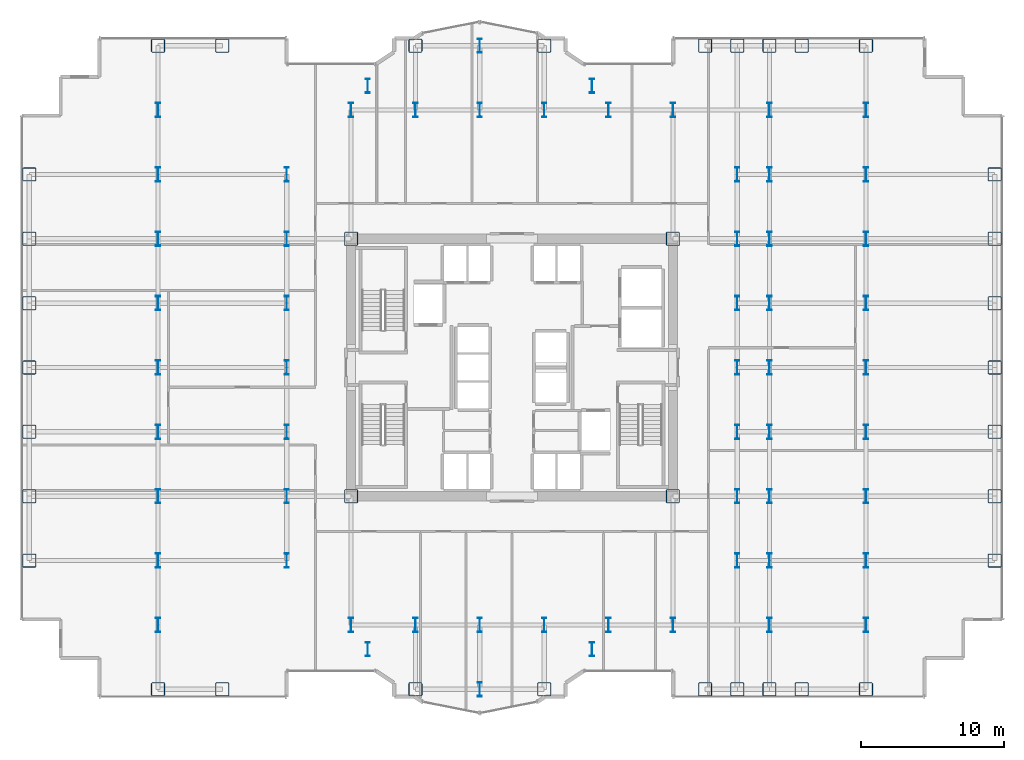
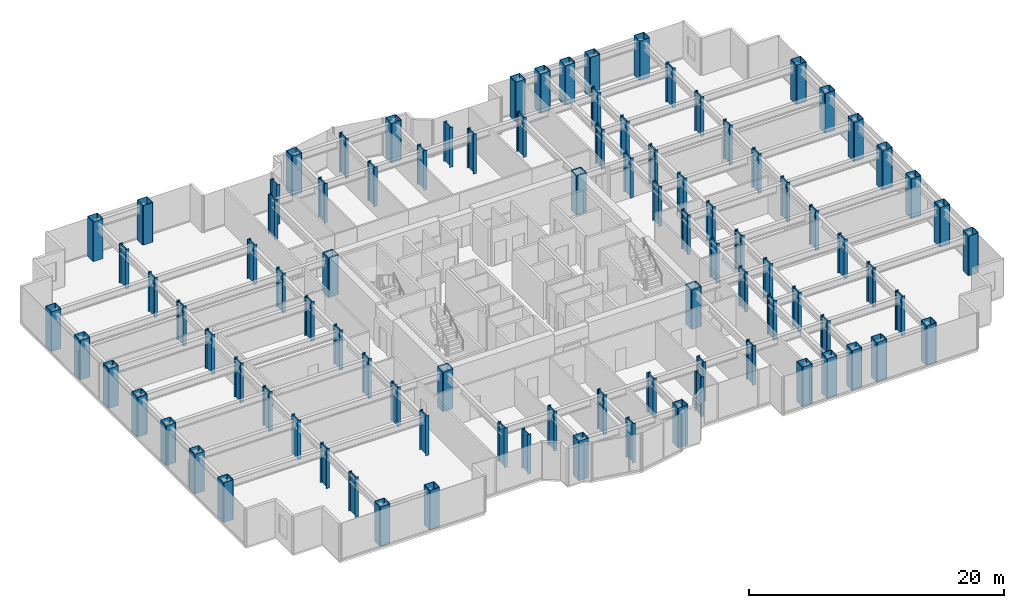
# One storey, part 1 of 25: 95 columns.
"""IFC4 building model written with IfcOpenShell, lengths in metres."""

from ifc_helpers import new_model, si_unit, direction, frame, origin, origin_2d, place, context, subcontext, project, spatial, hollow_rectangle, i_section, extrude, source, transform, mapped, material, material_profile, profile_set, type_object, element, save


model = new_model("IFC4")

# Units and contexts
model_context = context("Model", 3, precision=1e-05, world=origin(), true_north=direction((0.0, 1.0)))
body_context = subcontext(model_context, "Body", "Model", "MODEL_VIEW")
ifc_project = project(units=[si_unit("LENGTHUNIT", "METRE"), si_unit("AREAUNIT", "SQUARE_METRE"), si_unit("VOLUMEUNIT", "CUBIC_METRE"), si_unit("PLANEANGLEUNIT", "RADIAN"), si_unit("MASSUNIT", "GRAM", prefix="KILO")], contexts=[model_context])

# Site, building, storey
site_placement = place(None, origin())
site = spatial("IfcSite", under=ifc_project, at=site_placement, CompositionType="ELEMENT")
building_placement = place(site_placement, origin())
building = spatial("IfcBuilding", under=site, at=building_placement, Name="Nefas-Gora Pilgrimage Tower", CompositionType="ELEMENT")
storey_placement = place(building_placement, frame((0.0, 0.0, 74.800048828125)))
storey = spatial("IfcBuildingStorey", under=building, at=storey_placement, Name="L17", CompositionType="ELEMENT", Elevation=74.800048828125)

# Columns
ifc_material = material(Name="Steel S460", Category="steel")
ifc_material_profile_1 = material_profile(ifc_material, hollow_rectangle(XDim=0.949951171875, YDim=0.949951171875, WallThickness=0.044921875, InnerFilletRadius=0.044921875, OuterFilletRadius=0.090087890625, at=origin_2d()), Name="BOX 950x950x45")
ifc_profile_set_1 = profile_set([ifc_material_profile_1], Name="Steel S460")
column_type_1 = type_object("IfcColumnType", Name="COL-TUBE-950", PredefinedType="COLUMN", material=ifc_profile_set_1)
shared_shape_1 = source(origin(), body_context, "Body", "SweptSolid", [
    extrude(hollow_rectangle(XDim=0.949951171875, YDim=0.949951171875, WallThickness=0.044921875, InnerFilletRadius=0.044921875, OuterFilletRadius=0.090087890625, at=origin_2d()), origin(), (0.0, 0.0, 1.0), 3.800048828125),
])
for number, where, z_axis, x_axis, name in (
    (1, (-33.75, -13.5, 0.0), (0.0, 0.0, 1.0), (1.0, 0.0, 0.0), "L17 Tower Column C-Z1.1"),
    (2, (-33.75, -9.0, 0.0), (0.0, 0.0, 1.0), (1.0, 0.0, 0.0), "L17 Tower Column C-Z1.2"),
    (3, (-33.75, -4.5, 0.0), (0.0, 0.0, 1.0), (1.0, 0.0, 0.0), "L17 Tower Column C-Z1.3"),
    (4, (-33.75, 0.0, 0.0), (0.0, 0.0, 1.0), (1.0, 0.0, 0.0), "L17 Tower Column C-Z1.4"),
    (5, (-33.75, 4.5, 0.0), (0.0, 0.0, 1.0), (1.0, 0.0, 0.0), "L17 Tower Column C-Z1.5"),
    (6, (-33.75, 9.0, 0.0), (0.0, 0.0, 1.0), (1.0, 0.0, 0.0), "L17 Tower Column C-Z1.6"),
    (7, (-33.75, 13.5, 0.0), (0.0, 0.0, 1.0), (1.0, 0.0, 0.0), "L17 Tower Column C-Z1.7"),
    (8, (-24.75, -22.5, 0.0), (0.0, 0.0, 1.0), (1.0, 0.0, 0.0), "L17 Tower Column C-Z1.8"),
    (9, (-24.75, 22.5, 0.0), (0.0, 0.0, 1.0), (1.0, 0.0, 0.0), "L17 Tower Column C-Z1.18"),
    (10, (-20.25, -22.5, 0.0), (0.0, 0.0, 1.0), (1.0, 0.0, 0.0), "L17 Tower Column C-Z1.19"),
    (11, (-20.25, 22.5, 0.0), (0.0, 0.0, 1.0), (1.0, 0.0, 0.0), "L17 Tower Column C-Z1.20"),
    (12, (-6.75, -22.5, 0.0), (0.0, 0.0, 1.0), (1.0, 0.0, 0.0), "L17 Tower Column C-Z1.34"),
    (13, (-6.75, 22.5, 0.0), (0.0, 0.0, 1.0), (1.0, 0.0, 0.0), "L17 Tower Column C-Z1.37"),
    (14, (2.25, -22.5, 0.0), (0.0, 0.0, 1.0), (1.0, 0.0, 0.0), "L17 Tower Column C-Z1.42"),
    (15, (2.25, 22.5, 0.0), (0.0, 0.0, 1.0), (1.0, 0.0, 0.0), "L17 Tower Column C-Z1.45"),
    (16, (13.5, -22.5, 0.0), (0.0, 0.0, 1.0), (1.0, 0.0, 0.0), "L17 Tower Column C-Z1.54"),
    (17, (13.5, 22.5, 0.0), (0.0, 0.0, 1.0), (1.0, 0.0, 0.0), "L17 Tower Column C-Z1.55"),
    (18, (15.75, -22.5, 0.0), (0.0, 0.0, 1.0), (1.0, 0.0, 0.0), "L17 Tower Column C-Z1.56"),
    (19, (15.75, 22.5, 0.0), (0.0, 0.0, 1.0), (1.0, 0.0, 0.0), "L17 Tower Column C-Z1.64"),
    (20, (18.0, -22.5, 0.0), (0.0, 0.0, 1.0), (1.0, 0.0, 0.0), "L17 Tower Column C-Z1.65"),
    (21, (18.0, 22.5, 0.0), (0.0, 0.0, 1.0), (1.0, 0.0, 0.0), "L17 Tower Column C-Z1.75"),
    (22, (20.25, -22.5, 0.0), (0.0, 0.0, 1.0), (1.0, 0.0, 0.0), "L17 Tower Column C-Z1.76"),
    (23, (20.25, 22.5, 0.0), (0.0, 0.0, 1.0), (1.0, 0.0, 0.0), "L17 Tower Column C-Z1.77"),
    (24, (24.75, -22.5, 0.0), (0.0, 0.0, 1.0), (1.0, 0.0, 0.0), "L17 Tower Column C-Z1.78"),
    (25, (24.75, 22.5, 0.0), (0.0, 0.0, 1.0), (1.0, 0.0, 0.0), "L17 Tower Column C-Z1.88"),
    (26, (33.75, -13.5, 0.0), (0.0, 0.0, 1.0), (1.0, 0.0, 0.0), "L17 Tower Column C-Z1.89"),
    (27, (33.75, -9.0, 0.0), (0.0, 0.0, 1.0), (1.0, 0.0, 0.0), "L17 Tower Column C-Z1.90"),
    (28, (33.75, -4.5, 0.0), (0.0, 0.0, 1.0), (1.0, 0.0, 0.0), "L17 Tower Column C-Z1.91"),
    (29, (33.75, 0.0, 0.0), (0.0, 0.0, 1.0), (1.0, 0.0, 0.0), "L17 Tower Column C-Z1.92"),
    (30, (33.75, 4.5, 0.0), (0.0, 0.0, 1.0), (1.0, 0.0, 0.0), "L17 Tower Column C-Z1.93"),
    (31, (33.75, 9.0, 0.0), (0.0, 0.0, 1.0), (1.0, 0.0, 0.0), "L17 Tower Column C-Z1.94"),
    (32, (33.75, 13.5, 0.0), (0.0, 0.0, 1.0), (1.0, 0.0, 0.0), "L17 Tower Column C-Z1.95"),
):
    element("IfcColumn", number, at=place(storey_placement, frame(where, z_axis=z_axis, x_axis=x_axis)), inside=storey, type_object=column_type_1, Name=name, PredefinedType="COLUMN", context=body_context, shape_type="MappedRepresentation", body=[
        mapped(shared_shape_1, transform((0.0, 0.0, 0.0), x_axis=(1.0, 0.0, 0.0), y_axis=(0.0, 1.0, 0.0), z_axis=(0.0, 0.0, 1.0), scale=1.0)),
    ])
ifc_material_profile_2 = material_profile(ifc_material, i_section(OverallWidth=0.302001953125, OverallDepth=1.008056640625, WebThickness=0.02099609375, FlangeThickness=0.0400390625, FilletRadius=0.030029296875, at=origin_2d()), Name="HEM 1000")
ifc_profile_set_2 = profile_set([ifc_material_profile_2], Name="Steel S460")
column_type_2 = type_object("IfcColumnType", Name="COL-WEB-HEM1000", PredefinedType="COLUMN", material=ifc_profile_set_2)
shared_shape_2 = source(origin(), body_context, "Body", "SweptSolid", [
    extrude(i_section(OverallWidth=0.302001953125, OverallDepth=1.008056640625, WebThickness=0.02099609375, FlangeThickness=0.0400390625, FilletRadius=0.030029296875, at=origin_2d()), origin(), (0.0, 0.0, 1.0), 3.800048828125),
])
for number, where, z_axis, x_axis, name in (
    (33, (-24.75, -18.0, 0.0), (0.0, 0.0, 1.0), (1.0, 0.0, 0.0), "L17 Tower Column CW-01.9"),
    (34, (-24.75, -13.5, 0.0), (0.0, 0.0, 1.0), (1.0, 0.0, 0.0), "L17 Tower Column CW-01.10"),
    (35, (-24.75, -9.0, 0.0), (0.0, 0.0, 1.0), (1.0, 0.0, 0.0), "L17 Tower Column CW-01.11"),
    (36, (-24.75, -4.5, 0.0), (0.0, 0.0, 1.0), (1.0, 0.0, 0.0), "L17 Tower Column CW-01.12"),
    (37, (-24.75, 0.0, 0.0), (0.0, 0.0, 1.0), (1.0, 0.0, 0.0), "L17 Tower Column CW-01.13"),
    (38, (-24.75, 4.5, 0.0), (0.0, 0.0, 1.0), (1.0, 0.0, 0.0), "L17 Tower Column CW-01.14"),
    (39, (-24.75, 9.0, 0.0), (0.0, 0.0, 1.0), (1.0, 0.0, 0.0), "L17 Tower Column CW-01.15"),
    (40, (-24.75, 13.5, 0.0), (0.0, 0.0, 1.0), (1.0, 0.0, 0.0), "L17 Tower Column CW-01.16"),
    (41, (-24.75, 18.0, 0.0), (0.0, 0.0, 1.0), (1.0, 0.0, 0.0), "L17 Tower Column CW-01.17"),
    (42, (-15.75, -13.5, 0.0), (0.0, 0.0, 1.0), (1.0, 0.0, 0.0), "L17 Tower Column CW-01.21"),
    (43, (-15.75, -9.0, 0.0), (0.0, 0.0, 1.0), (1.0, 0.0, 0.0), "L17 Tower Column CW-01.22"),
    (44, (-15.75, -4.5, 0.0), (0.0, 0.0, 1.0), (1.0, 0.0, 0.0), "L17 Tower Column CW-01.23"),
    (45, (-15.75, 0.0, 0.0), (0.0, 0.0, 1.0), (1.0, 0.0, 0.0), "L17 Tower Column CW-01.24"),
    (46, (-15.75, 4.5, 0.0), (0.0, 0.0, 1.0), (1.0, 0.0, 0.0), "L17 Tower Column CW-01.25"),
    (47, (-15.75, 9.0, 0.0), (0.0, 0.0, 1.0), (1.0, 0.0, 0.0), "L17 Tower Column CW-01.26"),
    (48, (-15.75, 13.5, 0.0), (0.0, 0.0, 1.0), (1.0, 0.0, 0.0), "L17 Tower Column CW-01.27"),
    (49, (-11.25, -18.0, 0.0), (0.0, 0.0, 1.0), (1.0, 0.0, 0.0), "L17 Tower Column CW-01.28"),
    (50, (-11.25, 18.0, 0.0), (0.0, 0.0, 1.0), (1.0, 0.0, 0.0), "L17 Tower Column CW-01.31"),
    (51, (-10.091064453125, -19.696044921875, 0.0), (0.0, 0.0, 1.0), (1.0, 0.0, 0.0), "L17 Tower Column CW-01.32"),
    (52, (-10.091064453125, 19.696044921875, 0.0), (0.0, 0.0, 1.0), (1.0, 0.0, 0.0), "L17 Tower Column CW-01.33"),
    (53, (-6.75, -18.0, 0.0), (0.0, 0.0, 1.0), (1.0, 0.0, 0.0), "L17 Tower Column CW-01.35"),
    (54, (-6.75, 18.0, 0.0), (0.0, 0.0, 1.0), (1.0, 0.0, 0.0), "L17 Tower Column CW-01.36"),
    (55, (-2.25, -22.5, 0.0), (0.0, 0.0, 1.0), (1.0, 0.0, 0.0), "L17 Tower Column CW-01.38"),
    (56, (-2.25, -18.0, 0.0), (0.0, 0.0, 1.0), (1.0, 0.0, 0.0), "L17 Tower Column CW-01.39"),
    (57, (-2.25, 18.0, 0.0), (0.0, 0.0, 1.0), (1.0, 0.0, 0.0), "L17 Tower Column CW-01.40"),
    (58, (-2.25, 22.5, 0.0), (0.0, 0.0, 1.0), (1.0, 0.0, 0.0), "L17 Tower Column CW-01.41"),
    (59, (2.25, -18.0, 0.0), (0.0, 0.0, 1.0), (1.0, 0.0, 0.0), "L17 Tower Column CW-01.43"),
    (60, (2.25, 18.0, 0.0), (0.0, 0.0, 1.0), (1.0, 0.0, 0.0), "L17 Tower Column CW-01.44"),
    (61, (5.591064453125, -19.696044921875, 0.0), (0.0, 0.0, 1.0), (1.0, 0.0, 0.0), "L17 Tower Column CW-01.46"),
    (62, (5.591064453125, 19.696044921875, 0.0), (0.0, 0.0, 1.0), (1.0, 0.0, 0.0), "L17 Tower Column CW-01.47"),
    (63, (6.75, -18.0, 0.0), (0.0, 0.0, 1.0), (1.0, 0.0, 0.0), "L17 Tower Column CW-01.48"),
    (64, (6.75, 18.0, 0.0), (0.0, 0.0, 1.0), (1.0, 0.0, 0.0), "L17 Tower Column CW-01.49"),
    (65, (11.25, -18.0, 0.0), (0.0, 0.0, 1.0), (1.0, 0.0, 0.0), "L17 Tower Column CW-01.50"),
    (66, (11.25, 18.0, 0.0), (0.0, 0.0, 1.0), (1.0, 0.0, 0.0), "L17 Tower Column CW-01.53"),
    (67, (15.75, -13.5, 0.0), (0.0, 0.0, 1.0), (1.0, 0.0, 0.0), "L17 Tower Column CW-01.57"),
    (68, (15.75, -9.0, 0.0), (0.0, 0.0, 1.0), (1.0, 0.0, 0.0), "L17 Tower Column CW-01.58"),
    (69, (15.75, -4.5, 0.0), (0.0, 0.0, 1.0), (1.0, 0.0, 0.0), "L17 Tower Column CW-01.59"),
    (70, (15.75, 0.0, 0.0), (0.0, 0.0, 1.0), (1.0, 0.0, 0.0), "L17 Tower Column CW-01.60"),
    (71, (15.75, 4.5, 0.0), (0.0, 0.0, 1.0), (1.0, 0.0, 0.0), "L17 Tower Column CW-01.61"),
    (72, (15.75, 9.0, 0.0), (0.0, 0.0, 1.0), (1.0, 0.0, 0.0), "L17 Tower Column CW-01.62"),
    (73, (15.75, 13.5, 0.0), (0.0, 0.0, 1.0), (1.0, 0.0, 0.0), "L17 Tower Column CW-01.63"),
    (74, (18.0, -18.0, 0.0), (0.0, 0.0, 1.0), (1.0, 0.0, 0.0), "L17 Tower Column CW-01.66"),
    (75, (18.0, -13.5, 0.0), (0.0, 0.0, 1.0), (1.0, 0.0, 0.0), "L17 Tower Column CW-01.67"),
    (76, (18.0, -9.0, 0.0), (0.0, 0.0, 1.0), (1.0, 0.0, 0.0), "L17 Tower Column CW-01.68"),
    (77, (18.0, -4.5, 0.0), (0.0, 0.0, 1.0), (1.0, 0.0, 0.0), "L17 Tower Column CW-01.69"),
    (78, (18.0, 0.0, 0.0), (0.0, 0.0, 1.0), (1.0, 0.0, 0.0), "L17 Tower Column CW-01.70"),
    (79, (18.0, 4.5, 0.0), (0.0, 0.0, 1.0), (1.0, 0.0, 0.0), "L17 Tower Column CW-01.71"),
    (80, (18.0, 9.0, 0.0), (0.0, 0.0, 1.0), (1.0, 0.0, 0.0), "L17 Tower Column CW-01.72"),
    (81, (18.0, 13.5, 0.0), (0.0, 0.0, 1.0), (1.0, 0.0, 0.0), "L17 Tower Column CW-01.73"),
    (82, (18.0, 18.0, 0.0), (0.0, 0.0, 1.0), (1.0, 0.0, 0.0), "L17 Tower Column CW-01.74"),
    (83, (24.75, -18.0, 0.0), (0.0, 0.0, 1.0), (1.0, 0.0, 0.0), "L17 Tower Column CW-01.79"),
    (84, (24.75, -13.5, 0.0), (0.0, 0.0, 1.0), (1.0, 0.0, 0.0), "L17 Tower Column CW-01.80"),
    (85, (24.75, -9.0, 0.0), (0.0, 0.0, 1.0), (1.0, 0.0, 0.0), "L17 Tower Column CW-01.81"),
    (86, (24.75, -4.5, 0.0), (0.0, 0.0, 1.0), (1.0, 0.0, 0.0), "L17 Tower Column CW-01.82"),
    (87, (24.75, 0.0, 0.0), (0.0, 0.0, 1.0), (1.0, 0.0, 0.0), "L17 Tower Column CW-01.83"),
    (88, (24.75, 4.5, 0.0), (0.0, 0.0, 1.0), (1.0, 0.0, 0.0), "L17 Tower Column CW-01.84"),
    (89, (24.75, 9.0, 0.0), (0.0, 0.0, 1.0), (1.0, 0.0, 0.0), "L17 Tower Column CW-01.85"),
    (90, (24.75, 13.5, 0.0), (0.0, 0.0, 1.0), (1.0, 0.0, 0.0), "L17 Tower Column CW-01.86"),
    (91, (24.75, 18.0, 0.0), (0.0, 0.0, 1.0), (1.0, 0.0, 0.0), "L17 Tower Column CW-01.87"),
):
    element("IfcColumn", number, at=place(storey_placement, frame(where, z_axis=z_axis, x_axis=x_axis)), inside=storey, type_object=column_type_2, Name=name, PredefinedType="COLUMN", context=body_context, shape_type="MappedRepresentation", body=[
        mapped(shared_shape_2, transform((0.0, 0.0, 0.0), x_axis=(1.0, 0.0, 0.0), y_axis=(0.0, 1.0, 0.0), z_axis=(0.0, 0.0, 1.0), scale=1.0)),
    ])
ifc_material_profile_3 = material_profile(ifc_material, hollow_rectangle(XDim=0.949951171875, YDim=0.949951171875, WallThickness=0.044921875, InnerFilletRadius=0.044921875, OuterFilletRadius=0.090087890625, at=origin_2d()), Name="BOX 950x950x45")
ifc_profile_set_3 = profile_set([ifc_material_profile_3], Name="Steel S460")
column_type_3 = type_object("IfcColumnType", Name="COL-CORE-950", PredefinedType="COLUMN", material=ifc_profile_set_3)
shared_shape_3 = source(origin(), body_context, "Body", "SweptSolid", [
    extrude(hollow_rectangle(XDim=0.949951171875, YDim=0.949951171875, WallThickness=0.044921875, InnerFilletRadius=0.044921875, OuterFilletRadius=0.090087890625, at=origin_2d()), origin(), (0.0, 0.0, 1.0), 3.800048828125),
])
for number, where, z_axis, x_axis, name in (
    (92, (-11.25, -9.0, 0.0), (0.0, 0.0, 1.0), (1.0, 0.0, 0.0), "L17 Tower Column CC-Z1.29"),
    (93, (-11.25, 9.0, 0.0), (0.0, 0.0, 1.0), (1.0, 0.0, 0.0), "L17 Tower Column CC-Z1.30"),
    (94, (11.25, -9.0, 0.0), (0.0, 0.0, 1.0), (1.0, 0.0, 0.0), "L17 Tower Column CC-Z1.51"),
    (95, (11.25, 9.0, 0.0), (0.0, 0.0, 1.0), (1.0, 0.0, 0.0), "L17 Tower Column CC-Z1.52"),
):
    element("IfcColumn", number, at=place(storey_placement, frame(where, z_axis=z_axis, x_axis=x_axis)), inside=storey, type_object=column_type_3, Name=name, PredefinedType="COLUMN", context=body_context, shape_type="MappedRepresentation", body=[
        mapped(shared_shape_3, transform((0.0, 0.0, 0.0), x_axis=(1.0, 0.0, 0.0), y_axis=(0.0, 1.0, 0.0), z_axis=(0.0, 0.0, 1.0), scale=1.0)),
    ])

save(model, "model.ifc")
